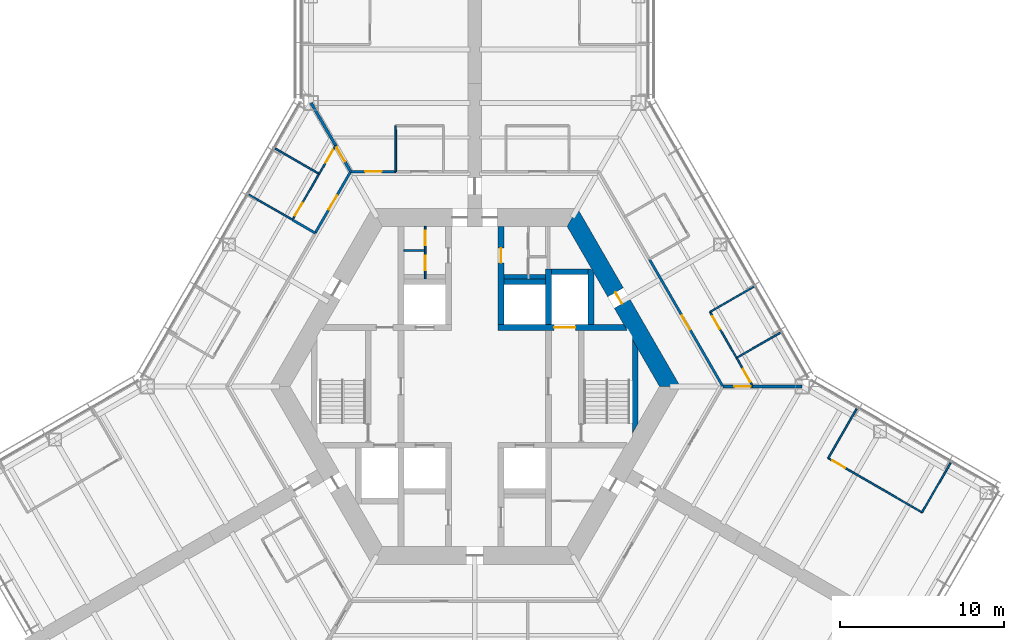
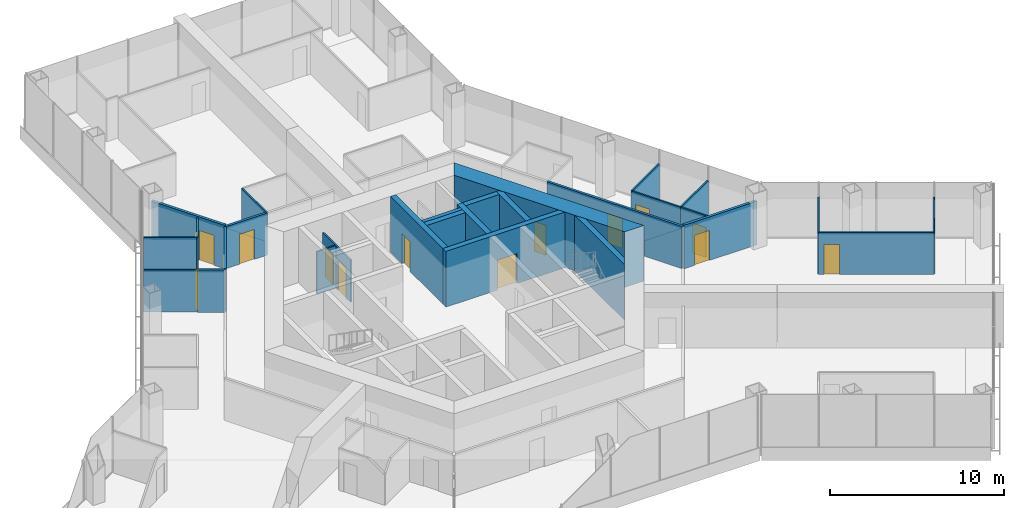
# One storey, part 14 of 18: 29 walls, 15 doors, 15 openings.
"""IFC4 building model written with IfcOpenShell, lengths in metres."""

from ifc_helpers import new_model, si_unit, direction, frame, frame_2d, origin, place, context, subcontext, project, spatial, polyline, rectangle, outline, extrude, material, layer, layer_set, type_object, element, fill, save


model = new_model("IFC4")

# Units and contexts
model_context = context("Model", 3, precision=1e-05, world=origin(), true_north=direction((0.0, 1.0)))
body_context = subcontext(model_context, "Body", "Model", "MODEL_VIEW")
ifc_project = project(units=[si_unit("LENGTHUNIT", "METRE"), si_unit("AREAUNIT", "SQUARE_METRE"), si_unit("VOLUMEUNIT", "CUBIC_METRE"), si_unit("PLANEANGLEUNIT", "RADIAN"), si_unit("MASSUNIT", "GRAM", prefix="KILO")], contexts=[model_context])

# Site, building, storey
site_placement = place(None, origin())
site = spatial("IfcSite", under=ifc_project, at=site_placement, CompositionType="ELEMENT")
building_placement = place(site_placement, origin())
building = spatial("IfcBuilding", under=site, at=building_placement, Name="Kasaneha Research Tower", CompositionType="ELEMENT")
storey_placement = place(building_placement, frame((0.0, 0.0, 61.199951171875)))
storey = spatial("IfcBuildingStorey", under=building, at=storey_placement, Name="L15", CompositionType="ELEMENT", Elevation=61.199951171875)

# Wall, opening, door
ifc_material_1 = material(Name="Concrete Fc80", Category="concrete")
ifc_layer_1 = layer(ifc_material_1, 0.35009765625)
ifc_layer_set_1 = layer_set([ifc_layer_1], Name="Core internal wall 350 Fc80")
wall_type_1 = type_object("IfcWallType", Name="Core internal wall 350 Fc80", PredefinedType="SHEAR", material=ifc_layer_set_1)
wall_1_placement = place(storey_placement, frame((1.425048828125, 3.60009765625, 0.0), z_axis=(0.0, 0.0, 1.0), x_axis=(1.0, 0.0, 0.0)))
wall_1 = element("IfcWall", 1, at=wall_1_placement, inside=storey, type_object=wall_type_1, Name="Core wall W1E L15", PredefinedType="SHEAR", context=body_context, shape_type="SweptSolid", body=[
    extrude(outline(polyline([(0.0, -0.175048828125), (3.425048828125, -0.175048828125), (4.72509765625, -0.175048828125), (7.884765625, -0.175048828125), (7.6826171875, 0.175048828125), (4.72509765625, 0.175048828125), (3.425048828125, 0.175048828125), (0.0, 0.175048828125), (0.0, -0.175048828125)])), origin(), (0.0, 0.0, 1.0), 3.900146484375),
])
opening_1_placement = place(wall_1_placement, frame((3.425048828125, 0.0, 0.0)))
opening_1 = element("IfcOpeningElement", 2, at=opening_1_placement, cuts=wall_1, Name="Opening LD-FL1-L15", PredefinedType="OPENING", context=body_context, shape_type="SweptSolid", body=[
    extrude(rectangle(XDim=1.300048828125, YDim=2.10009765625, at=frame_2d((0.64990234375, 1.050048828125))), frame((0.0, 0.18505859375, 0.0), z_axis=(0.0, -1.0, 0.0), x_axis=(1.0, 0.0, 0.0)), (0.0, 0.0, 1.0), 0.3701171875),
])
ifc_material_2 = material(Name="Steel", Category="steel")
door_type_1 = type_object("IfcDoorType", Name="Lift landing door 1300x2100", OperationType="DOUBLE_DOOR_SLIDING", PredefinedType="DOOR", material=ifc_material_2)
door_1_placement = place(opening_1_placement, origin())
door_1 = element("IfcDoor", 3, at=door_1_placement, inside=storey, type_object=door_type_1, Name="Landing door FL1 LD-FL1-L15", OperationType="DOUBLE_DOOR_SLIDING", OverallHeight=2.10009765625, OverallWidth=1.300048828125, PredefinedType="DOOR", context=body_context, shape_type="SweptSolid", body=[
    extrude(rectangle(XDim=1.300048828125, YDim=2.10009765625, at=frame_2d((0.64990234375, 1.050048828125))), frame((0.0, 0.02490234375, 0.0), z_axis=(0.0, -1.0, 0.0), x_axis=(1.0, 0.0, 0.0)), (0.0, 0.0, 1.0), 0.050048828125),
])
fill(opening_1, door_1)

wall_2_placement = place(storey_placement, frame((1.60009765625, 3.77490234375, 0.0), z_axis=(0.0, 0.0, 1.0), x_axis=(0.0, 1.0, 0.0)))
wall_2 = element("IfcWall", 4, at=wall_2_placement, inside=storey, type_object=wall_type_1, Name="Core wall CNE L15", PredefinedType="SHEAR", context=body_context, shape_type="SweptSolid", body=[
    extrude(rectangle(XDim=6.0, YDim=0.35009765625, at=frame_2d((3.0, 0.0))), origin(), (0.0, 0.0, 1.0), 3.900146484375),
])
opening_2_placement = place(wall_2_placement, frame((3.77490234375, 0.0, 0.0)))
opening_2 = element("IfcOpeningElement", 5, at=opening_2_placement, cuts=wall_2, Name="Opening L15-D14", PredefinedType="OPENING", context=body_context, shape_type="SweptSolid", body=[
    extrude(rectangle(XDim=0.89990234375, YDim=2.10009765625, at=frame_2d((0.449951171875, 1.050048828125))), frame((0.0, 0.18505859375, 0.0), z_axis=(0.0, -1.0, 0.0), x_axis=(1.0, 0.0, 0.0)), (0.0, 0.0, 1.0), 0.3701171875),
])
ifc_material_3 = material(Name="Steel", Category="steel")
door_type_2 = type_object("IfcDoorType", Name="Toilet door FD20 900x2100", OperationType="NOTDEFINED", PredefinedType="DOOR", material=ifc_material_3)
door_2_placement = place(opening_2_placement, origin())
door_2 = element("IfcDoor", 6, at=door_2_placement, inside=storey, type_object=door_type_2, Name="Women's WC door L15-D14", OperationType="SINGLE_SWING_LEFT", OverallHeight=2.10009765625, OverallWidth=0.89990234375, PredefinedType="DOOR", context=body_context, shape_type="SweptSolid", body=[
    extrude(rectangle(XDim=0.89990234375, YDim=2.10009765625, at=frame_2d((0.449951171875, 1.050048828125))), frame((0.0, 0.02490234375, 0.0), z_axis=(0.0, -1.0, 0.0), x_axis=(1.0, 0.0, 0.0)), (0.0, 0.0, 1.0), 0.050048828125),
])
fill(opening_2, door_2)

# Walls
wall_3_placement = place(storey_placement, frame((4.5, 3.77490234375, 0.0), z_axis=(0.0, 0.0, 1.0), x_axis=(0.0, 1.0, 0.0)))
element("IfcWall", 7, at=wall_3_placement, inside=storey, type_object=wall_type_1, Name="Core wall FNE L15", PredefinedType="SHEAR", context=body_context, shape_type="SweptSolid", body=[
    extrude(rectangle(XDim=3.400146484375, YDim=0.35009765625, at=frame_2d((1.7001953125, 0.0))), origin(), (0.0, 0.0, 1.0), 3.900146484375),
])
wall_4_placement = place(storey_placement, frame((1.77490234375, 6.39990234375, 0.0), z_axis=(0.0, 0.0, 1.0), x_axis=(1.0, 0.0, 0.0)))
element("IfcWall", 8, at=wall_4_placement, inside=storey, type_object=wall_type_1, Name="Core wall N3N L15", PredefinedType="SHEAR", context=body_context, shape_type="SweptSolid", body=[
    extrude(rectangle(XDim=2.550048828125, YDim=0.35009765625, at=frame_2d((1.27490234375, 0.0))), origin(), (0.0, 0.0, 1.0), 3.900146484375),
])
wall_5_placement = place(storey_placement, frame((4.675048828125, 7.0, 0.0), z_axis=(0.0, 0.0, 1.0), x_axis=(1.0, 0.0, 0.0)))
element("IfcWall", 9, at=wall_5_placement, inside=storey, type_object=wall_type_1, Name="Core wall F1N L15", PredefinedType="SHEAR", context=body_context, shape_type="SweptSolid", body=[
    extrude(rectangle(XDim=2.25, YDim=0.35009765625, at=frame_2d((1.125, 0.0))), origin(), (0.0, 0.0, 1.0), 3.900146484375),
])
wall_6_placement = place(storey_placement, frame((7.10009765625, 3.77490234375, 0.0), z_axis=(0.0, 0.0, 1.0), x_axis=(0.0, 1.0, 0.0)))
element("IfcWall", 10, at=wall_6_placement, inside=storey, type_object=wall_type_1, Name="Core wall F1E L15", PredefinedType="SHEAR", context=body_context, shape_type="SweptSolid", body=[
    extrude(outline(polyline([(0.0, -0.175048828125), (3.174560546875, -0.175048828125), (3.400146484375, 0.0), (3.400146484375, 0.175048828125), (0.0, 0.175048828125), (0.0, -0.175048828125)])), origin(), (0.0, 0.0, 1.0), 3.900146484375),
])
wall_7_placement = place(storey_placement, frame((9.807861328125, -2.562255859375, 0.0), z_axis=(0.0, 0.0, 1.0), x_axis=(0.0, 1.0, 0.0)))
element("IfcWall", 11, at=wall_7_placement, inside=storey, type_object=wall_type_1, Name="Core wall STE L15", PredefinedType="SHEAR", context=body_context, shape_type="SweptSolid", body=[
    extrude(outline(polyline([(0.30322265625, -0.175048828125), (4.8212890625, -0.175048828125), (5.427734375, 0.175048828125), (-0.30322265625, 0.175048828125), (0.30322265625, -0.175048828125)])), origin(), (0.0, 0.0, 1.0), 3.900146484375),
])

# Wall, opening, door
ifc_material_4 = material(Name="Concrete Fc80", Category="concrete")
ifc_layer_2 = layer(ifc_material_4, 1.10009765625)
ifc_layer_set_2 = layer_set([ifc_layer_2], Name="Core wall 1100 Fc80")
wall_type_2 = type_object("IfcWallType", Name="Core wall 1100 Fc80", PredefinedType="SHEAR", material=ifc_layer_set_2)
wall_8_placement = place(storey_placement, frame((11.92236328125, 0.0, 0.0), z_axis=(0.0, 0.0, 1.0), x_axis=(-0.500004296715, 0.866022923061, 0.0)))
wall_8 = element("IfcWall", 12, at=wall_8_placement, inside=storey, type_object=wall_type_2, Name="Core wall 030 L15", PredefinedType="SHEAR", context=body_context, shape_type="SweptSolid", body=[
    extrude(outline(polyline([(-0.317626953125, -0.550048828125), (5.83544921875, -0.550048828125), (6.635498046875, -0.550048828125), (12.239990234375, -0.550048828125), (11.604736328125, 0.550048828125), (6.635498046875, 0.550048828125), (5.83544921875, 0.550048828125), (0.317626953125, 0.550048828125), (-0.317626953125, -0.550048828125)])), origin(), (0.0, 0.0, 1.0), 3.900146484375),
])
opening_3_placement = place(wall_8_placement, frame((5.83544921875, 0.0, 0.0)))
opening_3 = element("IfcOpeningElement", 13, at=opening_3_placement, cuts=wall_8, Name="Opening L15-D04", PredefinedType="OPENING", context=body_context, shape_type="SweptSolid", body=[
    extrude(rectangle(XDim=0.800048828125, YDim=2.10009765625, at=frame_2d((0.39990234375, 1.050048828125))), frame((0.0, 0.56005859375, 0.0), z_axis=(0.0, -1.0, 0.0), x_axis=(1.0, 0.0, 0.0)), (0.0, 0.0, 1.0), 1.1201171875),
])
ifc_material_5 = material(Name="Steel", Category="steel")
door_type_3 = type_object("IfcDoorType", Name="Riser access door FD60 800x2100", OperationType="NOTDEFINED", PredefinedType="DOOR", material=ifc_material_5)
door_3_placement = place(opening_3_placement, origin())
door_3 = element("IfcDoor", 14, at=door_3_placement, inside=storey, type_object=door_type_3, Name="Pipe riser door L15-D04", OperationType="SINGLE_SWING_RIGHT", OverallHeight=2.10009765625, OverallWidth=0.800048828125, PredefinedType="DOOR", context=body_context, shape_type="SweptSolid", body=[
    extrude(rectangle(XDim=0.800048828125, YDim=2.10009765625, at=frame_2d((0.39990234375, 1.050048828125))), frame((0.0, 0.02490234375, 0.0), z_axis=(0.0, -1.0, 0.0), x_axis=(1.0, 0.0, 0.0)), (0.0, 0.0, 1.0), 0.050048828125),
])
fill(opening_3, door_3)

# Wall, openings, doors
ifc_material_6 = material(Name="Gypsum board on steel studs, one layer each side", Category="steel")
ifc_layer_3 = layer(ifc_material_6, 0.10009765625)
ifc_layer_set_3 = layer_set([ifc_layer_3], Name="Office partition 100")
wall_type_3 = type_object("IfcWallType", Name="Office partition 100", PredefinedType="PARTITIONING", material=ifc_layer_set_3)
wall_9_placement = place(storey_placement, frame((-3.02490234375, 6.574951171875, 0.0), z_axis=(0.0, 0.0, 1.0), x_axis=(0.0, 1.0, 0.0)))
wall_9 = element("IfcWall", 15, at=wall_9_placement, inside=storey, type_object=wall_type_3, Name="Office partition TBM1 L15", PredefinedType="PARTITIONING", context=body_context, shape_type="SweptSolid", body=[
    extrude(rectangle(XDim=3.199951171875, YDim=0.10009765625, at=frame_2d((1.60009765625, 0.0))), origin(), (0.0, 0.0, 1.0), 2.949951171875),
])
opening_4_placement = place(wall_9_placement, frame((2.0400390625, 0.0, 0.0)))
opening_4 = element("IfcOpeningElement", 16, at=opening_4_placement, cuts=wall_9, Name="Opening L15-D20", PredefinedType="OPENING", context=body_context, shape_type="SweptSolid", body=[
    extrude(rectangle(XDim=0.89990234375, YDim=2.10009765625, at=frame_2d((0.449951171875, 1.050048828125))), frame((0.0, 0.06005859375, 0.0), z_axis=(0.0, -1.0, 0.0), x_axis=(1.0, 0.0, 0.0)), (0.0, 0.0, 1.0), 0.1201171875),
])
opening_5_placement = place(wall_9_placement, frame((0.514892578125, 0.0, 0.0)))
opening_5 = element("IfcOpeningElement", 17, at=opening_5_placement, cuts=wall_9, Name="Opening L15-D21", PredefinedType="OPENING", context=body_context, shape_type="SweptSolid", body=[
    extrude(rectangle(XDim=0.89990234375, YDim=2.10009765625, at=frame_2d((0.449951171875, 1.050048828125))), frame((0.0, 0.06005859375, 0.0), z_axis=(0.0, -1.0, 0.0), x_axis=(1.0, 0.0, 0.0)), (0.0, 0.0, 1.0), 0.1201171875),
])
ifc_material_7 = material(Name="Steel", Category="steel")
door_type_4 = type_object("IfcDoorType", Name="Toilet lobby door FD30 900x2100", OperationType="NOTDEFINED", PredefinedType="DOOR", material=ifc_material_7)
door_4_placement = place(opening_4_placement, origin())
door_4 = element("IfcDoor", 18, at=door_4_placement, inside=storey, type_object=door_type_4, Name="Men's WC door L15-D20", OperationType="SINGLE_SWING_RIGHT", OverallHeight=2.10009765625, OverallWidth=0.89990234375, PredefinedType="DOOR", context=body_context, shape_type="SweptSolid", body=[
    extrude(rectangle(XDim=0.89990234375, YDim=2.10009765625, at=frame_2d((0.449951171875, 1.050048828125))), frame((0.0, 0.02490234375, 0.0), z_axis=(0.0, -1.0, 0.0), x_axis=(1.0, 0.0, 0.0)), (0.0, 0.0, 1.0), 0.050048828125),
])
fill(opening_4, door_4)
door_5_placement = place(opening_5_placement, origin())
door_5 = element("IfcDoor", 19, at=door_5_placement, inside=storey, type_object=door_type_4, Name="Shower room door L15-D21", OperationType="SINGLE_SWING_RIGHT", OverallHeight=2.10009765625, OverallWidth=0.89990234375, PredefinedType="DOOR", context=body_context, shape_type="SweptSolid", body=[
    extrude(rectangle(XDim=0.89990234375, YDim=2.10009765625, at=frame_2d((0.449951171875, 1.050048828125))), frame((0.0, 0.02490234375, 0.0), z_axis=(0.0, -1.0, 0.0), x_axis=(1.0, 0.0, 0.0)), (0.0, 0.0, 1.0), 0.050048828125),
])
fill(opening_5, door_5)

# Walls
wall_10_placement = place(storey_placement, frame((-3.074951171875, 8.304931640625, 0.0), z_axis=(0.0, 0.0, 1.0), x_axis=(-1.0, 0.0, 0.0)))
element("IfcWall", 20, at=wall_10_placement, inside=storey, type_object=wall_type_3, Name="Office partition TBM2 L15", PredefinedType="PARTITIONING", context=body_context, shape_type="SweptSolid", body=[
    extrude(rectangle(XDim=1.25, YDim=0.10009765625, at=frame_2d((0.625, 0.0))), origin(), (0.0, 0.0, 1.0), 2.949951171875),
])
wall_11_placement = place(storey_placement, frame((18.662109375, 3.27734375, 0.0), z_axis=(0.0, 0.0, 1.0), x_axis=(-0.866844641549, -0.498578346319, 0.0)))
element("IfcWall", 21, at=wall_11_placement, inside=storey, type_object=wall_type_3, Name="Office partition FAE18 L15", PredefinedType="PARTITIONING", context=body_context, shape_type="SweptSolid", body=[
    extrude(rectangle(XDim=3.080078125, YDim=0.10009765625, at=frame_2d((1.5400390625, 0.0))), origin(), (0.0, 0.0, 1.0), 2.949951171875),
])
wall_12_placement = place(storey_placement, frame((14.37158203125, 4.548828125, 0.0), z_axis=(0.0, 0.0, 1.0), x_axis=(0.86600983753, 0.500026960575, 0.0)))
element("IfcWall", 22, at=wall_12_placement, inside=storey, type_object=wall_type_3, Name="Office partition FAE19 L15", PredefinedType="PARTITIONING", context=body_context, shape_type="SweptSolid", body=[
    extrude(rectangle(XDim=3.099853515625, YDim=0.10009765625, at=frame_2d((1.5498046875, 0.0))), origin(), (0.0, 0.0, 1.0), 2.949951171875),
])

# Wall, opening, door
wall_13_placement = place(storey_placement, frame((15.998779296875, 1.73974609375, 0.0), z_axis=(0.0, 0.0, 1.0), x_axis=(-0.501240807694, 0.865307836959, 0.0)))
wall_13 = element("IfcWall", 23, at=wall_13_placement, inside=storey, type_object=wall_type_3, Name="Office partition FAE20 L15", PredefinedType="PARTITIONING", context=body_context, shape_type="SweptSolid", body=[
    extrude(rectangle(XDim=3.246337890625, YDim=0.10009765625, at=frame_2d((1.623046875, 0.0))), origin(), (0.0, 0.0, 1.0), 2.949951171875),
])
opening_6_placement = place(wall_13_placement, frame((2.04638671875, 0.0, 0.0)))
opening_6 = element("IfcOpeningElement", 24, at=opening_6_placement, cuts=wall_13, Name="Opening L15-D33", PredefinedType="OPENING", context=body_context, shape_type="SweptSolid", body=[
    extrude(rectangle(XDim=0.89990234375, YDim=2.10009765625, at=frame_2d((0.449951171875, 1.050048828125))), frame((0.0, 0.06005859375, 0.0), z_axis=(0.0, -1.0, 0.0), x_axis=(1.0, 0.0, 0.0)), (0.0, 0.0, 1.0), 0.1201171875),
])
ifc_material_8 = material(Name="Timber veneer", Category="wood")
door_type_5 = type_object("IfcDoorType", Name="Office door 900x2100", OperationType="SINGLE_SWING_LEFT", PredefinedType="DOOR", material=ifc_material_8)
door_6_placement = place(opening_6_placement, origin())
door_6 = element("IfcDoor", 25, at=door_6_placement, inside=storey, type_object=door_type_5, Name="Workroom door L15-D33", OperationType="SINGLE_SWING_RIGHT", OverallHeight=2.10009765625, OverallWidth=0.89990234375, PredefinedType="DOOR", context=body_context, shape_type="SweptSolid", body=[
    extrude(rectangle(XDim=0.89990234375, YDim=2.10009765625, at=frame_2d((0.449951171875, 1.050048828125))), frame((0.0, 0.02490234375, 0.0), z_axis=(0.0, -1.0, 0.0), x_axis=(1.0, 0.0, 0.0)), (0.0, 0.0, 1.0), 0.050048828125),
])
fill(opening_6, door_6)

wall_14_placement = place(storey_placement, frame((16.986083984375, 0.02001953125, 0.0), z_axis=(0.0, 0.0, 1.0), x_axis=(-0.497888096254, 0.867241283386, 0.0)))
wall_14 = element("IfcWall", 26, at=wall_14_placement, inside=storey, type_object=wall_type_3, Name="Office partition FAE21 L15", PredefinedType="PARTITIONING", context=body_context, shape_type="SweptSolid", body=[
    extrude(rectangle(XDim=1.98291015625, YDim=0.10009765625, at=frame_2d((0.991455078125, 0.0))), origin(), (0.0, 0.0, 1.0), 2.949951171875),
])
opening_7_placement = place(wall_14_placement, frame((0.300048828125, 0.0, 0.0)))
opening_7 = element("IfcOpeningElement", 27, at=opening_7_placement, cuts=wall_14, Name="Opening L15-D34", PredefinedType="OPENING", context=body_context, shape_type="SweptSolid", body=[
    extrude(rectangle(XDim=0.89990234375, YDim=2.10009765625, at=frame_2d((0.449951171875, 1.050048828125))), frame((0.0, 0.06005859375, 0.0), z_axis=(0.0, -1.0, 0.0), x_axis=(1.0, 0.0, 0.0)), (0.0, 0.0, 1.0), 0.1201171875),
])
door_7_placement = place(opening_7_placement, origin())
door_7 = element("IfcDoor", 28, at=door_7_placement, inside=storey, type_object=door_type_5, Name="Phone room door L15-D34", OperationType="SINGLE_SWING_LEFT", OverallHeight=2.10009765625, OverallWidth=0.89990234375, PredefinedType="DOOR", context=body_context, shape_type="SweptSolid", body=[
    extrude(rectangle(XDim=0.89990234375, YDim=2.10009765625, at=frame_2d((0.449951171875, 1.050048828125))), frame((0.0, 0.02490234375, 0.0), z_axis=(0.0, -1.0, 0.0), x_axis=(1.0, 0.0, 0.0)), (0.0, 0.0, 1.0), 0.050048828125),
])
fill(opening_7, door_7)

# Walls
wall_15_placement = place(storey_placement, frame((-4.824462890625, 13.125, 0.0), z_axis=(0.0, 0.0, 1.0), x_axis=(-0.001656637364, 0.999998627775, 0.0)))
element("IfcWall", 29, at=wall_15_placement, inside=storey, type_object=wall_type_3, Name="Office partition FAW05 L15", PredefinedType="PARTITIONING", context=body_context, shape_type="SweptSolid", body=[
    extrude(rectangle(XDim=2.800048828125, YDim=0.10009765625, at=frame_2d((1.39990234375, 0.0))), origin(), (0.0, 0.0, 1.0), 2.949951171875),
])
wall_16_placement = place(storey_placement, frame((-12.1865234375, 14.533203125, 0.0), z_axis=(0.0, 0.0, 1.0), x_axis=(0.865232104039, -0.50137152506, 0.0)))
element("IfcWall", 30, at=wall_16_placement, inside=storey, type_object=wall_type_3, Name="Office partition FBN07 L15", PredefinedType="PARTITIONING", context=body_context, shape_type="SweptSolid", body=[
    extrude(rectangle(XDim=3.099853515625, YDim=0.10009765625, at=frame_2d((1.5498046875, 0.0))), origin(), (0.0, 0.0, 1.0), 2.949951171875),
])
wall_17_placement = place(storey_placement, frame((-11.122802734375, 10.17578125, 0.0), z_axis=(0.0, 0.0, 1.0), x_axis=(-0.866790673474, 0.498672165233, 0.0)))
element("IfcWall", 31, at=wall_17_placement, inside=storey, type_object=wall_type_3, Name="Office partition FBN08 L15", PredefinedType="PARTITIONING", context=body_context, shape_type="SweptSolid", body=[
    extrude(rectangle(XDim=3.080078125, YDim=0.10009765625, at=frame_2d((1.5400390625, 0.0))), origin(), (0.0, 0.0, 1.0), 2.949951171875),
])

# Wall, opening, door
wall_18_placement = place(storey_placement, frame((-9.505859375, 12.985595703125, 0.0), z_axis=(0.0, 0.0, 1.0), x_axis=(-0.499956811548, -0.866050337213, 0.0)))
wall_18 = element("IfcWall", 32, at=wall_18_placement, inside=storey, type_object=wall_type_3, Name="Office partition FBN09 L15", PredefinedType="PARTITIONING", context=body_context, shape_type="SweptSolid", body=[
    extrude(rectangle(XDim=3.246337890625, YDim=0.10009765625, at=frame_2d((1.623046875, 0.0))), origin(), (0.0, 0.0, 1.0), 2.949951171875),
])
opening_8_placement = place(wall_18_placement, frame((2.04638671875, 0.0, 0.0)))
opening_8 = element("IfcOpeningElement", 33, at=opening_8_placement, cuts=wall_18, Name="Opening L15-D42", PredefinedType="OPENING", context=body_context, shape_type="SweptSolid", body=[
    extrude(rectangle(XDim=0.89990234375, YDim=2.10009765625, at=frame_2d((0.449951171875, 1.050048828125))), frame((0.0, 0.06005859375, 0.0), z_axis=(0.0, -1.0, 0.0), x_axis=(1.0, 0.0, 0.0)), (0.0, 0.0, 1.0), 0.1201171875),
])
door_8_placement = place(opening_8_placement, origin())
door_8 = element("IfcDoor", 34, at=door_8_placement, inside=storey, type_object=door_type_5, Name="Project room door L15-D42", OperationType="SINGLE_SWING_RIGHT", OverallHeight=2.10009765625, OverallWidth=0.89990234375, PredefinedType="DOOR", context=body_context, shape_type="SweptSolid", body=[
    extrude(rectangle(XDim=0.89990234375, YDim=2.10009765625, at=frame_2d((0.449951171875, 1.050048828125))), frame((0.0, 0.02490234375, 0.0), z_axis=(0.0, -1.0, 0.0), x_axis=(1.0, 0.0, 0.0)), (0.0, 0.0, 1.0), 0.050048828125),
])
fill(opening_8, door_8)

wall_19_placement = place(storey_placement, frame((-8.510498046875, 14.700439453125, 0.0), z_axis=(0.0, 0.0, 1.0), x_axis=(-0.502001840855, -0.864866551427, 0.0)))
wall_19 = element("IfcWall", 35, at=wall_19_placement, inside=storey, type_object=wall_type_3, Name="Office partition FBN13 L15", PredefinedType="PARTITIONING", context=body_context, shape_type="SweptSolid", body=[
    extrude(rectangle(XDim=1.982666015625, YDim=0.10009765625, at=frame_2d((0.9912109375, 0.0))), origin(), (0.0, 0.0, 1.0), 2.949951171875),
])
opening_9_placement = place(wall_19_placement, frame((0.300048828125, 0.0, 0.0)))
opening_9 = element("IfcOpeningElement", 36, at=opening_9_placement, cuts=wall_19, Name="Opening L15-D44", PredefinedType="OPENING", context=body_context, shape_type="SweptSolid", body=[
    extrude(rectangle(XDim=0.89990234375, YDim=2.10009765625, at=frame_2d((0.449951171875, 1.050048828125))), frame((0.0, 0.06005859375, 0.0), z_axis=(0.0, -1.0, 0.0), x_axis=(1.0, 0.0, 0.0)), (0.0, 0.0, 1.0), 0.1201171875),
])
door_9_placement = place(opening_9_placement, origin())
door_9 = element("IfcDoor", 37, at=door_9_placement, inside=storey, type_object=door_type_5, Name="Phone room door L15-D44", OperationType="SINGLE_SWING_LEFT", OverallHeight=2.10009765625, OverallWidth=0.89990234375, PredefinedType="DOOR", context=body_context, shape_type="SweptSolid", body=[
    extrude(rectangle(XDim=0.89990234375, YDim=2.10009765625, at=frame_2d((0.449951171875, 1.050048828125))), frame((0.0, 0.02490234375, 0.0), z_axis=(0.0, -1.0, 0.0), x_axis=(1.0, 0.0, 0.0)), (0.0, 0.0, 1.0), 0.050048828125),
])
fill(opening_9, door_9)

# Wall
wall_20_placement = place(storey_placement, frame((21.59228515625, -4.38330078125, 0.0), z_axis=(0.0, 0.0, 1.0), x_axis=(0.500009906705, 0.86601968407, 0.0)))
element("IfcWall", 38, at=wall_20_placement, inside=storey, type_object=wall_type_3, Name="Office partition FCE02 L15", PredefinedType="PARTITIONING", context=body_context, shape_type="SweptSolid", body=[
    extrude(rectangle(XDim=3.47998046875, YDim=0.10009765625, at=frame_2d((1.739990234375, 0.0))), origin(), (0.0, 0.0, 1.0), 2.949951171875),
])

# Wall, opening, door
wall_21_placement = place(storey_placement, frame((27.324951171875, -7.693115234375, 0.0), z_axis=(0.0, 0.0, 1.0), x_axis=(-0.866021597574, 0.500006592492, 0.0)))
wall_21 = element("IfcWall", 39, at=wall_21_placement, inside=storey, type_object=wall_type_3, Name="Office partition FCE03 L15", PredefinedType="PARTITIONING", context=body_context, shape_type="SweptSolid", body=[
    extrude(rectangle(XDim=6.61962890625, YDim=0.10009765625, at=frame_2d((3.309814453125, 0.0))), origin(), (0.0, 0.0, 1.0), 2.949951171875),
])
opening_10_placement = place(wall_21_placement, frame((5.419677734375, 0.0, 0.0)))
opening_10 = element("IfcOpeningElement", 40, at=opening_10_placement, cuts=wall_21, Name="Opening L15-D49", PredefinedType="OPENING", context=body_context, shape_type="SweptSolid", body=[
    extrude(rectangle(XDim=0.89990234375, YDim=2.10009765625, at=frame_2d((0.449951171875, 1.050048828125))), frame((0.0, 0.06005859375, 0.0), z_axis=(0.0, -1.0, 0.0), x_axis=(1.0, 0.0, 0.0)), (0.0, 0.0, 1.0), 0.1201171875),
])
door_10_placement = place(opening_10_placement, origin())
door_10 = element("IfcDoor", 41, at=door_10_placement, inside=storey, type_object=door_type_5, Name="Meeting room door L15-D49", OperationType="SINGLE_SWING_RIGHT", OverallHeight=2.10009765625, OverallWidth=0.89990234375, PredefinedType="DOOR", context=body_context, shape_type="SweptSolid", body=[
    extrude(rectangle(XDim=0.89990234375, YDim=2.10009765625, at=frame_2d((0.449951171875, 1.050048828125))), frame((0.0, 0.02490234375, 0.0), z_axis=(0.0, -1.0, 0.0), x_axis=(1.0, 0.0, 0.0)), (0.0, 0.0, 1.0), 0.050048828125),
])
fill(opening_10, door_10)

# Wall
wall_22_placement = place(storey_placement, frame((29.074951171875, -4.662109375, 0.0), z_axis=(0.0, 0.0, 1.0), x_axis=(-0.500010275428, -0.866019471182, 0.0)))
element("IfcWall", 42, at=wall_22_placement, inside=storey, type_object=wall_type_3, Name="Office partition FCE04 L15", PredefinedType="PARTITIONING", context=body_context, shape_type="SweptSolid", body=[
    extrude(rectangle(XDim=3.5, YDim=0.10009765625, at=frame_2d((1.75, 0.0))), origin(), (0.0, 0.0, 1.0), 2.949951171875),
])

# Wall, opening, door
ifc_material_9 = material(Name="Gypsum board on steel studs, two layers each side", Category="steel")
ifc_layer_4 = layer(ifc_material_9, 0.14990234375)
ifc_layer_set_4 = layer_set([ifc_layer_4], Name="Suite partition 150")
wall_type_4 = type_object("IfcWallType", Name="Suite partition 150", PredefinedType="PARTITIONING", material=ifc_layer_set_4)
wall_23_placement = place(storey_placement, frame((10.664306640625, 7.77880859375, 0.0), z_axis=(0.0, 0.0, 1.0), x_axis=(0.49999608499, -0.866027664105, 0.0)))
wall_23 = element("IfcWall", 43, at=wall_23_placement, inside=storey, type_object=wall_type_4, Name="Suite partition FAE06 L15", PredefinedType="PARTITIONING", context=body_context, shape_type="SweptSolid", body=[
    extrude(rectangle(XDim=8.958984375, YDim=0.14990234375, at=frame_2d((4.4794921875, 0.0))), origin(), (0.0, 0.0, 1.0), 2.949951171875),
])
opening_11_placement = place(wall_23_placement, frame((3.9794921875, 0.0, 0.0)))
opening_11 = element("IfcOpeningElement", 44, at=opening_11_placement, cuts=wall_23, Name="Opening L15-D29", PredefinedType="OPENING", context=body_context, shape_type="SweptSolid", body=[
    extrude(rectangle(XDim=1.0, YDim=2.10009765625, at=frame_2d((0.5, 1.050048828125))), frame((0.0, 0.0849609375, 0.0), z_axis=(0.0, -1.0, 0.0), x_axis=(1.0, 0.0, 0.0)), (0.0, 0.0, 1.0), 0.169921875),
])
ifc_material_10 = material(Name="Steel", Category="steel")
door_type_6 = type_object("IfcDoorType", Name="Suite entrance door FD60 1000x2100", OperationType="NOTDEFINED", PredefinedType="DOOR", material=ifc_material_10)
door_11_placement = place(opening_11_placement, origin())
door_11 = element("IfcDoor", 45, at=door_11_placement, inside=storey, type_object=door_type_6, Name="Suite entrance door L15-D29", OperationType="SINGLE_SWING_RIGHT", OverallHeight=2.10009765625, OverallWidth=1.0, PredefinedType="DOOR", context=body_context, shape_type="SweptSolid", body=[
    extrude(rectangle(XDim=1.0, YDim=2.10009765625, at=frame_2d((0.5, 1.050048828125))), frame((0.0, 0.02490234375, 0.0), z_axis=(0.0, -1.0, 0.0), x_axis=(1.0, 0.0, 0.0)), (0.0, 0.0, 1.0), 0.050048828125),
])
fill(opening_11, door_11)

wall_24_placement = place(storey_placement, frame((-7.5546875, 13.125, 0.0), z_axis=(0.0, 0.0, 1.0), x_axis=(1.0, 0.0, 0.0)))
wall_24 = element("IfcWall", 46, at=wall_24_placement, inside=storey, type_object=wall_type_4, Name="Suite partition FAW02 L15", PredefinedType="PARTITIONING", context=body_context, shape_type="SweptSolid", body=[
    extrude(rectangle(XDim=2.730224609375, YDim=0.14990234375, at=frame_2d((1.365234375, 0.0))), origin(), (0.0, 0.0, 1.0), 2.949951171875),
])
opening_12_placement = place(wall_24_placement, frame((0.864990234375, 0.0, 0.0)))
opening_12 = element("IfcOpeningElement", 47, at=opening_12_placement, cuts=wall_24, Name="Opening L15-D36", PredefinedType="OPENING", context=body_context, shape_type="SweptSolid", body=[
    extrude(rectangle(XDim=1.0, YDim=2.10009765625, at=frame_2d((0.5, 1.050048828125))), frame((0.0, 0.0849609375, 0.0), z_axis=(0.0, -1.0, 0.0), x_axis=(1.0, 0.0, 0.0)), (0.0, 0.0, 1.0), 0.169921875),
])
door_12_placement = place(opening_12_placement, origin())
door_12 = element("IfcDoor", 48, at=door_12_placement, inside=storey, type_object=door_type_6, Name="Suite entrance door L15-D36", OperationType="SINGLE_SWING_RIGHT", OverallHeight=2.10009765625, OverallWidth=1.0, PredefinedType="DOOR", context=body_context, shape_type="SweptSolid", body=[
    extrude(rectangle(XDim=1.0, YDim=2.10009765625, at=frame_2d((0.5, 1.050048828125))), frame((0.0, 0.02490234375, 0.0), z_axis=(0.0, -1.0, 0.0), x_axis=(1.0, 0.0, 0.0)), (0.0, 0.0, 1.0), 0.050048828125),
])
fill(opening_12, door_12)

wall_25_placement = place(storey_placement, frame((-9.745849609375, 9.36962890625, 0.0), z_axis=(0.0, 0.0, 1.0), x_axis=(0.499980509014, 0.866036656618, 0.0)))
wall_25 = element("IfcWall", 49, at=wall_25_placement, inside=storey, type_object=wall_type_4, Name="Suite partition FBN03 L15", PredefinedType="PARTITIONING", context=body_context, shape_type="SweptSolid", body=[
    extrude(rectangle(XDim=4.313232421875, YDim=0.14990234375, at=frame_2d((2.15673828125, 0.0))), origin(), (0.0, 0.0, 1.0), 2.949951171875),
])
opening_13_placement = place(wall_25_placement, frame((1.65673828125, 0.0, 0.0)))
opening_13 = element("IfcOpeningElement", 50, at=opening_13_placement, cuts=wall_25, Name="Opening L15-D40", PredefinedType="OPENING", context=body_context, shape_type="SweptSolid", body=[
    extrude(rectangle(XDim=1.0, YDim=2.10009765625, at=frame_2d((0.5, 1.050048828125))), frame((0.0, 0.0849609375, 0.0), z_axis=(0.0, -1.0, 0.0), x_axis=(1.0, 0.0, 0.0)), (0.0, 0.0, 1.0), 0.169921875),
])
door_13_placement = place(opening_13_placement, origin())
door_13 = element("IfcDoor", 51, at=door_13_placement, inside=storey, type_object=door_type_6, Name="Suite entrance door L15-D40", OperationType="SINGLE_SWING_LEFT", OverallHeight=2.10009765625, OverallWidth=1.0, PredefinedType="DOOR", context=body_context, shape_type="SweptSolid", body=[
    extrude(rectangle(XDim=1.0, YDim=2.10009765625, at=frame_2d((0.5, 1.050048828125))), frame((0.0, 0.02490234375, 0.0), z_axis=(0.0, -1.0, 0.0), x_axis=(1.0, 0.0, 0.0)), (0.0, 0.0, 1.0), 0.050048828125),
])
fill(opening_13, door_13)

# Wall
wall_26_placement = place(storey_placement, frame((-11.129150390625, 10.173828125, 0.0), z_axis=(0.0, 0.0, 1.0), x_axis=(0.864508729043, -0.502617804509, 0.0)))
element("IfcWall", 52, at=wall_26_placement, inside=storey, type_object=wall_type_4, Name="Suite partition FBN14 L15", PredefinedType="PARTITIONING", context=body_context, shape_type="SweptSolid", body=[
    extrude(rectangle(XDim=1.599609375, YDim=0.14990234375, at=frame_2d((0.7998046875, 0.0))), origin(), (0.0, 0.0, 1.0), 2.949951171875),
])

# Wall, opening, door
ifc_material_11 = material(Name="Gypsum board on steel studs, two layers each side", Category="steel")
ifc_layer_5 = layer(ifc_material_11, 0.175048828125)
ifc_layer_set_5 = layer_set([ifc_layer_5], Name="Tenancy fire partition 175")
wall_type_5 = type_object("IfcWallType", Name="Tenancy fire partition 175", PredefinedType="PARTITIONING", material=ifc_layer_set_5)
wall_27_placement = place(storey_placement, frame((15.155517578125, 0.0, 0.0), z_axis=(0.0, 0.0, 1.0), x_axis=(1.0, 0.0, 0.0)))
wall_27 = element("IfcWall", 53, at=wall_27_placement, inside=storey, type_object=wall_type_5, Name="Tenancy fire partition T000 L15", PredefinedType="PARTITIONING", context=body_context, shape_type="SweptSolid", body=[
    extrude(rectangle(XDim=4.844482421875, YDim=0.175048828125, at=frame_2d((2.42236328125, 0.0))), origin(), (0.0, 0.0, 1.0), 3.050048828125),
])
opening_14_placement = place(wall_27_placement, frame((0.699951171875, 0.0, 0.0)))
opening_14 = element("IfcOpeningElement", 54, at=opening_14_placement, cuts=wall_27, Name="Opening L15-D25", PredefinedType="OPENING", context=body_context, shape_type="SweptSolid", body=[
    extrude(rectangle(XDim=1.0, YDim=2.10009765625, at=frame_2d((0.5, 1.050048828125))), frame((0.0, 0.09765625, 0.0), z_axis=(0.0, -1.0, 0.0), x_axis=(1.0, 0.0, 0.0)), (0.0, 0.0, 1.0), 0.195068359375),
])
door_14_placement = place(opening_14_placement, origin())
door_14 = element("IfcDoor", 55, at=door_14_placement, inside=storey, type_object=door_type_6, Name="Connecting door L15-D25", OperationType="SINGLE_SWING_RIGHT", OverallHeight=2.10009765625, OverallWidth=1.0, PredefinedType="DOOR", context=body_context, shape_type="SweptSolid", body=[
    extrude(rectangle(XDim=1.0, YDim=2.10009765625, at=frame_2d((0.5, 1.050048828125))), frame((0.0, 0.02490234375, 0.0), z_axis=(0.0, -1.0, 0.0), x_axis=(1.0, 0.0, 0.0)), (0.0, 0.0, 1.0), 0.050048828125),
])
fill(opening_14, door_14)

wall_28_placement = place(storey_placement, frame((-7.57763671875, 13.125, 0.0), z_axis=(0.0, 0.0, 1.0), x_axis=(-0.500008905493, 0.866020262135, 0.0)))
wall_28 = element("IfcWall", 56, at=wall_28_placement, inside=storey, type_object=wall_type_5, Name="Tenancy fire partition T120 L15", PredefinedType="PARTITIONING", context=body_context, shape_type="SweptSolid", body=[
    extrude(rectangle(XDim=4.8447265625, YDim=0.175048828125, at=frame_2d((2.42236328125, 0.0))), origin(), (0.0, 0.0, 1.0), 3.050048828125),
])
opening_15_placement = place(wall_28_placement, frame((0.699951171875, 0.0, 0.0)))
opening_15 = element("IfcOpeningElement", 57, at=opening_15_placement, cuts=wall_28, Name="Opening L15-D26", PredefinedType="OPENING", context=body_context, shape_type="SweptSolid", body=[
    extrude(rectangle(XDim=1.0, YDim=2.10009765625, at=frame_2d((0.5, 1.050048828125))), frame((0.0, 0.09765625, 0.0), z_axis=(0.0, -1.0, 0.0), x_axis=(1.0, 0.0, 0.0)), (0.0, 0.0, 1.0), 0.195068359375),
])
door_15_placement = place(opening_15_placement, origin())
door_15 = element("IfcDoor", 58, at=door_15_placement, inside=storey, type_object=door_type_6, Name="Connecting door L15-D26", OperationType="SINGLE_SWING_RIGHT", OverallHeight=2.10009765625, OverallWidth=1.0, PredefinedType="DOOR", context=body_context, shape_type="SweptSolid", body=[
    extrude(rectangle(XDim=1.0, YDim=2.10009765625, at=frame_2d((0.5, 1.050048828125))), frame((0.0, 0.02490234375, 0.0), z_axis=(0.0, -1.0, 0.0), x_axis=(1.0, 0.0, 0.0)), (0.0, 0.0, 1.0), 0.050048828125),
])
fill(opening_15, door_15)

# Wall
ifc_material_12 = material(Name="Concrete block lining", Category="concrete")
ifc_layer_6 = layer(ifc_material_12, 0.25)
ifc_layer_set_6 = layer_set([ifc_layer_6], Name="WC plumbing wall 250")
wall_type_6 = type_object("IfcWallType", Name="WC plumbing wall 250", PredefinedType="PLUMBINGWALL", material=ifc_layer_set_6)
wall_29_placement = place(storey_placement, frame((1.77490234375, 6.699951171875, 0.0), z_axis=(0.0, 0.0, 1.0), x_axis=(1.0, 0.0, 0.0)))
element("IfcWall", 59, at=wall_29_placement, inside=storey, type_object=wall_type_6, Name="WC plumbing wall F L15", PredefinedType="PLUMBINGWALL", context=body_context, shape_type="SweptSolid", body=[
    extrude(rectangle(XDim=2.550048828125, YDim=0.25, at=frame_2d((1.27490234375, 0.0))), origin(), (0.0, 0.0, 1.0), 3.900146484375),
])

save(model, "model.ifc")
